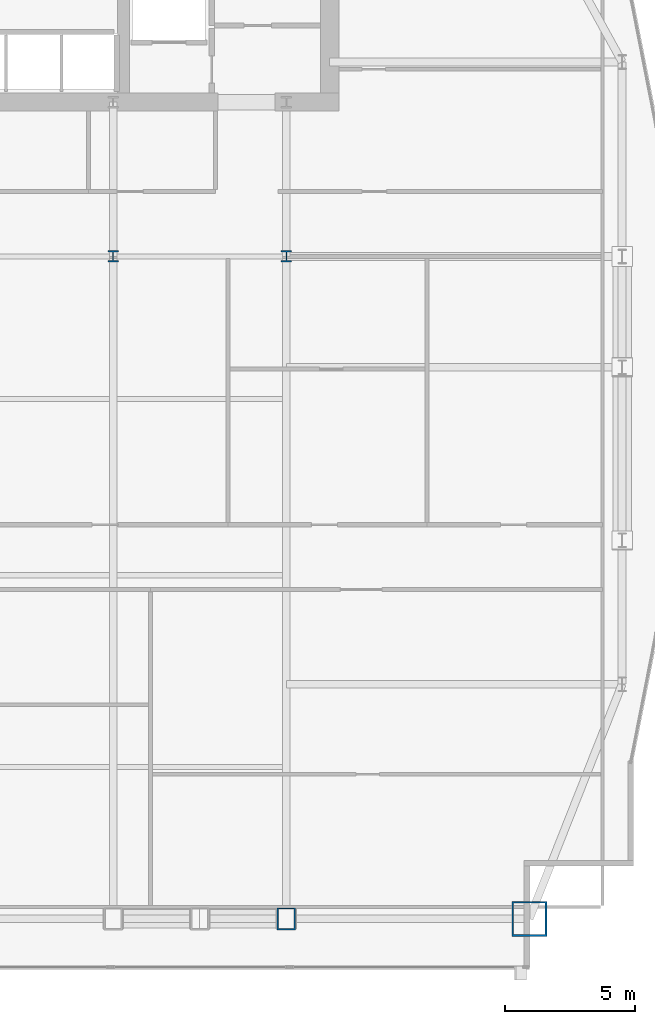
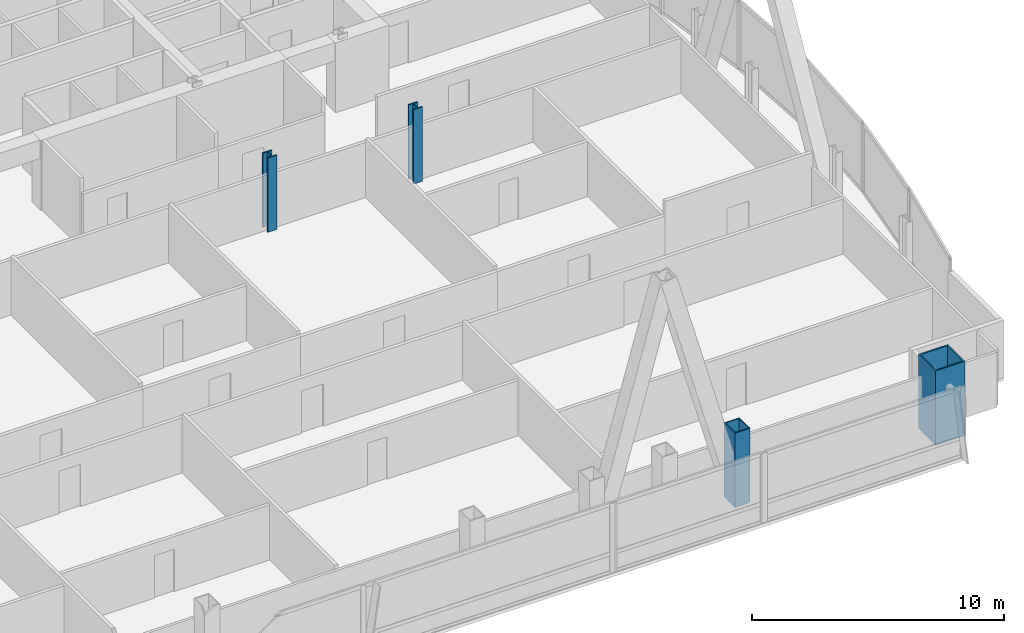
# One storey, part 2 of 31: 4 columns.
"""IFC4 building model written with IfcOpenShell, lengths in metres."""

import ifcopenshell
import ifcopenshell.guid

model = None  # the IFC model being written
_history = None  # IfcOwnerHistory: only IFC2X3 demands one
_inside = {}  # id of a spatial element -> (the spatial element, [elements in it])
_under = {}  # id of a project, library or spatial element -> (it, [spatial elements below it])
_declared = {}  # id of a project -> (the project, [libraries it declares])
_typed = {}  # id of a type object -> (the type object, [elements of that type])
_made_of = {}  # id of a material, layer set ... -> (it, [elements and type objects made of it])


def new_model(schema):
    """Start an empty IFC model of exactly this schema.

    Asked for "IFC4X3", IfcOpenShell would pick the latest addendum, in which some entities
    have other attributes; the version numbers below select the first issue.
    IFC2X3 requires an IfcOwnerHistory on every rooted entity: one is made here for all.
    """
    global model, _history
    if schema == "IFC4X3":
        model = ifcopenshell.file(schema_version=(4, 3, 0, 0))
    else:
        model = ifcopenshell.file(schema=schema)
    _inside.clear()
    _under.clear()
    _declared.clear()
    _typed.clear()
    _made_of.clear()
    _history = None
    if model.schema == "IFC2X3":
        org = make("IfcOrganization", Name="unknown")
        user = make(
            "IfcPersonAndOrganization",
            ThePerson=make("IfcPerson", FamilyName="unknown"),
            TheOrganization=org,
        )
        app = make(
            "IfcApplication",
            ApplicationDeveloper=org,
            Version="unknown",
            ApplicationFullName="unknown",
            ApplicationIdentifier="unknown",
        )
        _history = make(
            "IfcOwnerHistory",
            OwningUser=user,
            OwningApplication=app,
            ChangeAction="ADDED",
            CreationDate=0,
        )
    return model


def make(cls, **values):
    """One entity of the class cls with the attributes given. An attribute that is None is left unset."""
    return model.create_entity(
        cls, **{name: value for name, value in values.items() if value is not None}
    )


def rooted(cls, **values):
    """An entity with a GlobalId (a new one), such as an element, a storey or a relation."""
    return make(cls, GlobalId=ifcopenshell.guid.new(), OwnerHistory=_history, **values)


def si_unit(unit_type, name, prefix=None):
    """IfcSIUnit, for example si_unit("LENGTHUNIT", "METRE", prefix="MILLI")."""
    return make("IfcSIUnit", UnitType=unit_type, Prefix=prefix, Name=name)


def assignment(units):
    """IfcUnitAssignment: the units of a project."""
    return None if units is None else make("IfcUnitAssignment", Units=units)


def point(xyz):
    """IfcCartesianPoint."""
    return None if xyz is None else make("IfcCartesianPoint", Coordinates=xyz)


def direction(xyz):
    """IfcDirection."""
    return None if xyz is None else make("IfcDirection", DirectionRatios=xyz)


def frame(location, z_axis=None, x_axis=None):
    """IfcAxis2Placement3D, a coordinate frame: its origin and axes. An axis left out is left unset."""
    return make(
        "IfcAxis2Placement3D",
        Location=point(location),
        Axis=direction(z_axis),
        RefDirection=direction(x_axis),
    )


def frame_2d(location, x_axis=None):
    """IfcAxis2Placement2D, a coordinate frame in the plane: its origin and x axis."""
    return make(
        "IfcAxis2Placement2D", Location=point(location), RefDirection=direction(x_axis)
    )


def origin():
    """The frame at (0, 0, 0) with its axes left unset."""
    return frame((0.0, 0.0, 0.0))


def origin_2d():
    """The frame at (0, 0) in the plane with its x axis left unset."""
    return frame_2d((0.0, 0.0))


def place(relative_to, where):
    """IfcLocalPlacement: puts the frame where relative to a parent placement (None: the world)."""
    return make(
        "IfcLocalPlacement", PlacementRelTo=relative_to, RelativePlacement=where
    )


def context(
    kind, dimensions, precision=None, world=None, true_north=None, identifier=None
):
    """IfcGeometricRepresentationContext, for example the 3D "Model" context."""
    return make(
        "IfcGeometricRepresentationContext",
        ContextIdentifier=identifier,
        ContextType=kind,
        CoordinateSpaceDimension=dimensions,
        Precision=precision,
        WorldCoordinateSystem=world,
        TrueNorth=true_north,
    )


def subcontext(parent, identifier, kind, view, scale=None):
    """IfcGeometricRepresentationSubContext, for example "Body" below "Model"."""
    return make(
        "IfcGeometricRepresentationSubContext",
        ContextIdentifier=identifier,
        ContextType=kind,
        ParentContext=parent,
        TargetScale=scale,
        TargetView=view,
    )


def project(units=None, contexts=None):
    """IfcProject with its units and contexts."""
    return rooted(
        "IfcProject",
        Name="project",
        RepresentationContexts=contexts,
        UnitsInContext=assignment(units),
    )


def spatial(cls, under=None, at=None, **own):
    """A site, building, storey or space (cls), placed at a placement, below another one or the project."""
    s = rooted(cls, ObjectPlacement=at, **own)
    if under is not None:
        _under.setdefault(under.id(), (under, []))[1].append(s)
    return s


def profile(cls, at=None, kind="AREA", **sizes):
    """A parametric profile (cls). Its sizes go by their IFC names, for example OverallWidth=200.0."""
    return make(cls, ProfileType=kind, Position=at, **sizes)


def hollow_rectangle(**sizes):
    """IfcRectangleHollowProfileDef."""
    return profile("IfcRectangleHollowProfileDef", **sizes)


def i_section(**sizes):
    """IfcIShapeProfileDef."""
    return profile("IfcIShapeProfileDef", **sizes)


def extrude(swept, where, along, depth):
    """IfcExtrudedAreaSolid: the profile swept, set in the frame where, extruded along a direction by depth."""
    return make(
        "IfcExtrudedAreaSolid",
        SweptArea=swept,
        Position=where,
        ExtrudedDirection=direction(along),
        Depth=depth,
    )


def shape(context_of_items, identifier, shape_type, items):
    """IfcShapeRepresentation: the items that make up one representation, for example the "Body"."""
    return make(
        "IfcShapeRepresentation",
        ContextOfItems=context_of_items,
        RepresentationIdentifier=identifier,
        RepresentationType=shape_type,
        Items=items,
    )


def material(Name=None, Category=None):
    """IfcMaterial."""
    return make("IfcMaterial", Name=Name, Category=Category)


def material_profile(
    of_material, cross_section, Name=None, Category=None, Priority=None
):
    """IfcMaterialProfile: a cross section and its material."""
    return make(
        "IfcMaterialProfile",
        Name=Name,
        Material=of_material,
        Profile=cross_section,
        Priority=Priority,
        Category=Category,
    )


def profile_set(profiles, Name=None, composite=None):
    """IfcMaterialProfileSet."""
    return make(
        "IfcMaterialProfileSet",
        Name=Name,
        MaterialProfiles=profiles,
        CompositeProfile=composite,
    )


def made_of(thing, what):
    """Note that an element or type object is made of a material, layer set ...; save() writes the relation."""
    if what is not None:
        _made_of.setdefault(what.id(), (what, []))[1].append(thing)
    return thing


def type_object(cls, material=None, **own):
    """A type object (cls), such as IfcWallType, which elements share."""
    return made_of(rooted(cls, **own), material)


def element(
    cls,
    number,
    at=None,
    inside=None,
    cuts=None,
    type_object=None,
    material=None,
    context=None,
    identifier="Body",
    shape_type=None,
    held_by="IfcProductDefinitionShape",
    body=None,
    shapes=None,
    **own,
):
    """One element of the class cls, such as IfcWall. Its Tag is "e" and its number.

    at: its placement. inside: the storey or other place that contains it. cuts: it is an
    opening in that element (IfcRelVoidsElement). A single representation is given by context,
    identifier, shape_type and body (its items); several are given by shapes. held_by: the class
    of the entity that holds the representations. save() writes the other relations.
    """
    e = rooted(cls, Tag="e%d" % number, ObjectPlacement=at, **own)
    if body is not None:
        shapes = [shape(context, identifier, shape_type, body)]
    if shapes is not None:
        e.Representation = make(held_by, Representations=shapes)
    if inside is not None:
        _inside.setdefault(inside.id(), (inside, []))[1].append(e)
    if cuts is not None:
        rooted(
            "IfcRelVoidsElement", RelatingBuildingElement=cuts, RelatedOpeningElement=e
        )
    if type_object is not None:
        _typed.setdefault(type_object.id(), (type_object, []))[1].append(e)
    return made_of(e, material)


def aggregate(whole, parts):
    """IfcRelAggregates: a whole, such as a stair, and the parts it consists of."""
    return rooted("IfcRelAggregates", RelatingObject=whole, RelatedObjects=parts)


def save(model, path):
    """Write the relations noted so far, then the file.

    IfcRelAggregates (storeys below a building ...), IfcRelContainedInSpatialStructure (elements
    in a storey), IfcRelDefinesByType, IfcRelAssociatesMaterial and IfcRelDeclares: one each for
    every whole, place, type object, material and project.
    """
    for whole, parts in _under.values():
        aggregate(whole, parts)
    for where, things in _inside.values():
        rooted(
            "IfcRelContainedInSpatialStructure",
            RelatedElements=things,
            RelatingStructure=where,
        )
    for kind, things in _typed.values():
        rooted("IfcRelDefinesByType", RelatedObjects=things, RelatingType=kind)
    for what, things in _made_of.values():
        rooted("IfcRelAssociatesMaterial", RelatedObjects=things, RelatingMaterial=what)
    for by, libraries in _declared.values():
        rooted("IfcRelDeclares", RelatingContext=by, RelatedDefinitions=libraries)
    model.write(path)


model = new_model("IFC4")

# Units and contexts
model_context = context("Model", 3, precision=1e-05, world=origin(), true_north=direction((0.0, 1.0)))
body_context = subcontext(model_context, "Body", "Model", "MODEL_VIEW")
ifc_project = project(units=[si_unit("LENGTHUNIT", "METRE"), si_unit("AREAUNIT", "SQUARE_METRE"), si_unit("VOLUMEUNIT", "CUBIC_METRE"), si_unit("PLANEANGLEUNIT", "RADIAN"), si_unit("MASSUNIT", "GRAM", prefix="KILO")], contexts=[model_context])

# Site, building, storey
site_placement = place(None, origin())
site = spatial("IfcSite", under=ifc_project, at=site_placement, CompositionType="ELEMENT")
building_placement = place(site_placement, origin())
building = spatial("IfcBuilding", under=site, at=building_placement, Name="Khoronbel Lancet Exchange", CompositionType="ELEMENT")
storey_placement = place(building_placement, frame((0.0, 0.0, 168.60009765625)))
storey = spatial("IfcBuildingStorey", under=building, at=storey_placement, Name="L42", CompositionType="ELEMENT", Elevation=168.60009765625)

# Columns
ifc_material = material(Name="Steel S460", Category="steel")
ifc_material_profile_1 = material_profile(ifc_material, hollow_rectangle(XDim=0.699951171875, YDim=0.85009765625, WallThickness=0.050048828125, at=origin_2d()), Name="BOX 850x700x50")
ifc_profile_set_1 = profile_set([ifc_material_profile_1], Name="Steel S460")
column_type_1 = type_object("IfcColumnType", Name="COL-EC2", PredefinedType="COLUMN", material=ifc_profile_set_1)
column_1_placement = place(storey_placement, frame((54.675048828125, 10.14990234375, 0.0), z_axis=(0.0, 0.0, 1.0), x_axis=(1.0, 0.0, 0.0)))
element("IfcColumn", 1, at=column_1_placement, inside=storey, type_object=column_type_1, Name="Structural column SC-E2 L42", PredefinedType="COLUMN", context=body_context, shape_type="SweptSolid", body=[
    extrude(hollow_rectangle(XDim=0.699951171875, YDim=0.85009765625, WallThickness=0.050048828125, at=origin_2d()), origin(), (0.0, 0.0, 1.0), 3.599853515625),
])
ifc_material_profile_2 = material_profile(ifc_material, i_section(OverallWidth=0.416015625, OverallDepth=0.446044921875, WebThickness=0.0390625, FlangeThickness=0.062744140625, at=origin_2d()), Name="HD 400x509")
ifc_profile_set_2 = profile_set([ifc_material_profile_2], Name="Steel S460")
column_type_2 = type_object("IfcColumnType", Name="COL-IC2", PredefinedType="COLUMN", material=ifc_profile_set_2)
for number, where, z_axis, x_axis, name in (
    (2, (48.0, 35.699951171875, 0.0), (0.0, 0.0, 1.0), (1.0, 0.0, 0.0), "Spine gravity column TC3 L42"),
    (3, (54.675048828125, 35.699951171875, 0.0), (0.0, 0.0, 1.0), (1.0, 0.0, 0.0), "Spine gravity column TC4 L42"),
):
    element("IfcColumn", number, at=place(storey_placement, frame(where, z_axis=z_axis, x_axis=x_axis)), inside=storey, type_object=column_type_2, Name=name, PredefinedType="COLUMN", context=body_context, shape_type="SweptSolid", body=[
        extrude(i_section(OverallWidth=0.416015625, OverallDepth=0.446044921875, WebThickness=0.0390625, FlangeThickness=0.062744140625, at=origin_2d()), origin(), (0.0, 0.0, 1.0), 3.599853515625),
    ])
ifc_material_profile_3 = material_profile(ifc_material, hollow_rectangle(XDim=1.35009765625, YDim=1.35009765625, WallThickness=0.06494140625, at=origin_2d()), Name="BOX 1350x1350x65")
ifc_profile_set_3 = profile_set([ifc_material_profile_3], Name="Steel S460")
column_type_3 = type_object("IfcColumnType", Name="COL-MC4", PredefinedType="COLUMN", material=ifc_profile_set_3)
column_2_placement = place(storey_placement, frame((64.050048828125, 10.14990234375, 0.0), z_axis=(0.0, 0.0, 1.0), x_axis=(1.0, 0.0, 0.0)))
element("IfcColumn", 4, at=column_2_placement, inside=storey, type_object=column_type_3, Name="Structural column MC-SE L42", PredefinedType="COLUMN", context=body_context, shape_type="SweptSolid", body=[
    extrude(hollow_rectangle(XDim=1.35009765625, YDim=1.35009765625, WallThickness=0.06494140625, at=origin_2d()), origin(), (0.0, 0.0, 1.0), 3.599853515625),
])

save(model, "model.ifc")
